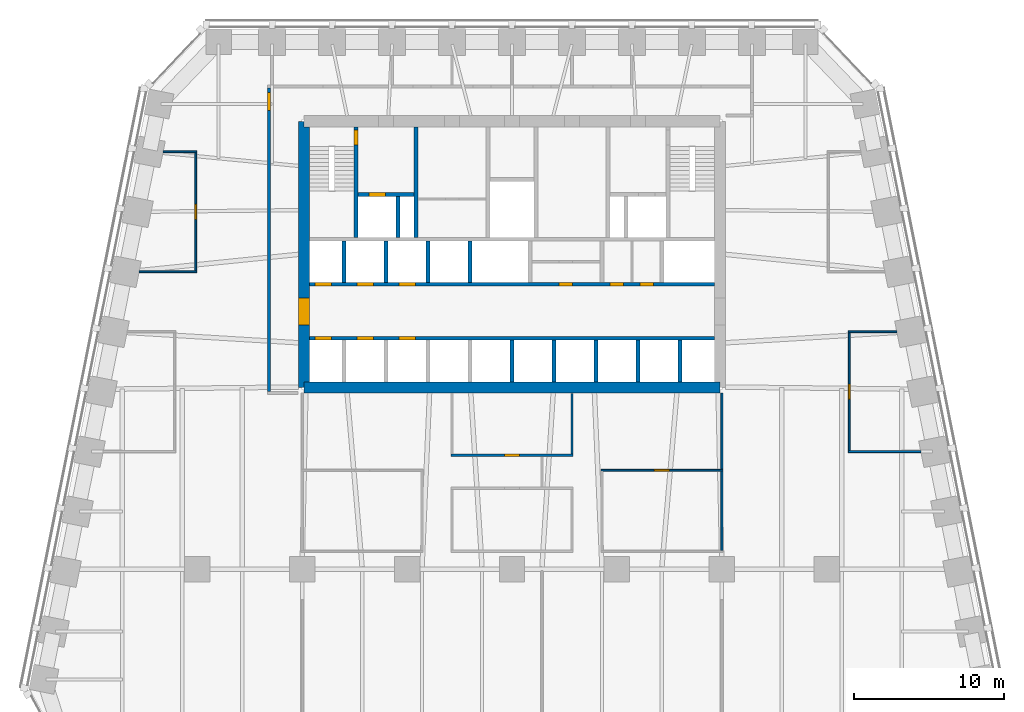
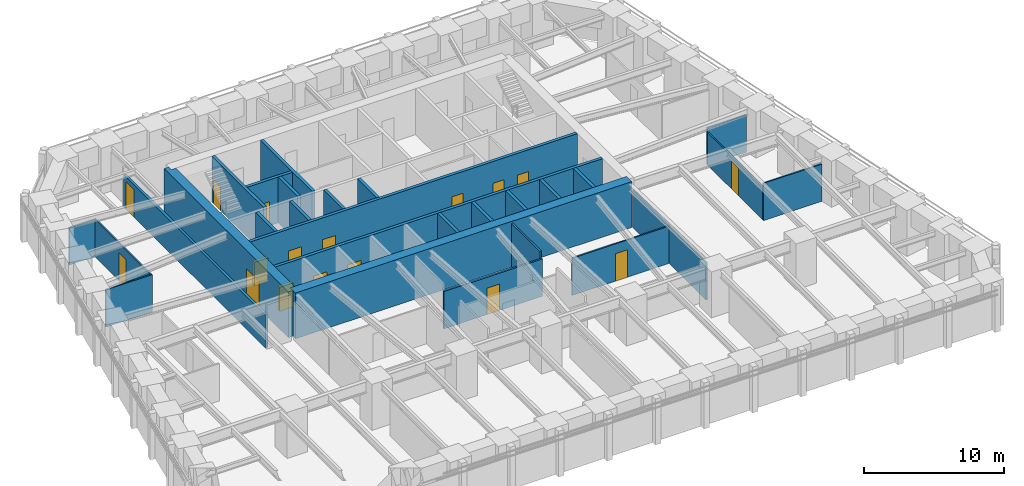
# One storey, part 6 of 10: 29 walls, 17 doors, 17 openings.
"""IFC4 building model written with IfcOpenShell, lengths in metres."""

from ifc_helpers import new_model, si_unit, direction, frame, frame_2d, origin, place, context, subcontext, project, spatial, polyline, rectangle, outline, extrude, material, layer, layer_set, type_object, element, fill, save


model = new_model("IFC4")

# Units and contexts
model_context = context("Model", 3, precision=1e-05, world=origin(), true_north=direction((0.0, 1.0)))
body_context = subcontext(model_context, "Body", "Model", "MODEL_VIEW")
ifc_project = project(units=[si_unit("LENGTHUNIT", "METRE"), si_unit("AREAUNIT", "SQUARE_METRE"), si_unit("VOLUMEUNIT", "CUBIC_METRE"), si_unit("PLANEANGLEUNIT", "RADIAN"), si_unit("MASSUNIT", "GRAM", prefix="KILO")], contexts=[model_context])

# Site, building, storey
site_placement = place(None, origin())
site = spatial("IfcSite", under=ifc_project, at=site_placement, CompositionType="ELEMENT")
building_placement = place(site_placement, origin())
building = spatial("IfcBuilding", under=site, at=building_placement, Name="Isbrekke Arena Tower", CompositionType="ELEMENT")
storey_placement = place(building_placement, frame((0.0, 0.0, 143.0)))
storey = spatial("IfcBuildingStorey", under=building, at=storey_placement, Name="L32", CompositionType="ELEMENT", Elevation=143.0)

# Wall
ifc_material_1 = material(Name="Concrete B55 (C55/67)", Category="concrete")
ifc_layer_1 = layer(ifc_material_1, 0.75)
ifc_layer_set_1 = layer_set([ifc_layer_1], Name="CW3 CORE WALL 750")
wall_type_1 = type_object("IfcWallType", Name="CW3 CORE WALL 750", PredefinedType="SHEAR", material=ifc_layer_set_1)
wall_1_placement = place(storey_placement, frame((-13.875, 6.125, 0.0), z_axis=(0.0, 0.0, 1.0), x_axis=(1.0, 0.0, 0.0)))
element("IfcWall", 1, at=wall_1_placement, inside=storey, type_object=wall_type_1, Name="Core wall S L32", PredefinedType="SHEAR", context=body_context, shape_type="SweptSolid", body=[
    extrude(rectangle(XDim=27.75, YDim=0.75, at=frame_2d((13.875, 0.0))), origin(), (0.0, 0.0, 1.0), 4.0),
])

# Wall, opening, door
wall_2_placement = place(storey_placement, frame((-13.875, 23.875, 0.0), z_axis=(0.0, 0.0, 1.0), x_axis=(0.0, -1.0, 0.0)))
wall_2 = element("IfcWall", 2, at=wall_2_placement, inside=storey, type_object=wall_type_1, Name="Core wall W L32", PredefinedType="SHEAR", context=body_context, shape_type="SweptSolid", body=[
    extrude(outline(polyline([(0.0, -0.375), (17.75, -0.375), (17.75, 0.0), (17.375, 0.0), (17.375, 0.375), (0.375, 0.375), (0.375, 0.0), (0.0, 0.0), (0.0, -0.375)])), origin(), (0.0, 0.0, 1.0), 4.0),
])
opening_1_placement = place(wall_2_placement, frame((11.77490234375, 0.0, 0.0)))
opening_1 = element("IfcOpeningElement", 3, at=opening_1_placement, cuts=wall_2, Name="Opening D1", PredefinedType="OPENING", context=body_context, shape_type="SweptSolid", body=[
    extrude(rectangle(XDim=1.800048828125, YDim=2.39990234375, at=frame_2d((0.89990234375, 1.199951171875))), frame((0.0, 0.389892578125, 0.0), z_axis=(0.0, -1.0, 0.0), x_axis=(1.0, 0.0, 0.0)), (0.0, 0.0, 1.0), 0.77978515625),
])
ifc_material_2 = material(Name="Steel-framed glazed fire door", Category="steel")
door_type_1 = type_object("IfcDoorType", Name="D1 CORE LOBBY DOOR 1800 x 2400", OperationType="DOUBLE_DOOR_SINGLE_SWING", PredefinedType="DOOR", material=ifc_material_2)
door_1_placement = place(opening_1_placement, origin())
door_1 = element("IfcDoor", 4, at=door_1_placement, inside=storey, type_object=door_type_1, Name="D1 lift lobby door west L32", OperationType="DOUBLE_DOOR_SINGLE_SWING", OverallHeight=2.39990234375, OverallWidth=1.800048828125, PredefinedType="DOOR", context=body_context, shape_type="SweptSolid", body=[
    extrude(rectangle(XDim=1.800048828125, YDim=2.39990234375, at=frame_2d((0.89990234375, 1.199951171875))), frame((0.0, 0.374755859375, 0.0), z_axis=(0.0, -1.0, 0.0), x_axis=(1.0, 0.0, 0.0)), (0.0, 0.0, 1.0), 0.74951171875),
])
fill(opening_1, door_1)

# Wall, openings, doors
ifc_material_3 = material(Name="Concrete B45 (C45/55)", Category="concrete")
ifc_layer_2 = layer(ifc_material_3, 0.25)
ifc_layer_set_2 = layer_set([ifc_layer_2], Name="CW6 SHAFT WALL 250")
wall_type_2 = type_object("IfcWallType", Name="CW6 SHAFT WALL 250", PredefinedType="SHEAR", material=ifc_layer_set_2)
wall_3_placement = place(storey_placement, frame((-13.5, 9.39990234375, 0.0), z_axis=(0.0, 0.0, 1.0), x_axis=(1.0, 0.0, 0.0)))
wall_3 = element("IfcWall", 5, at=wall_3_placement, inside=storey, type_object=wall_type_2, Name="Core wall LS L32", PredefinedType="SHEAR", context=body_context, shape_type="SweptSolid", body=[
    extrude(rectangle(XDim=27.0, YDim=0.25, at=frame_2d((13.5, 0.0))), origin(), (0.0, 0.0, 1.0), 4.0),
])
opening_2_placement = place(wall_3_placement, frame((0.35009765625, 0.0, 0.0)))
opening_2 = element("IfcOpeningElement", 6, at=opening_2_placement, cuts=wall_3, Name="Opening LD1", PredefinedType="OPENING", context=body_context, shape_type="SweptSolid", body=[
    extrude(rectangle(XDim=1.10009765625, YDim=2.10009765625, at=frame_2d((0.550048828125, 1.050048828125))), frame((0.0, 0.139892578125, 0.0), z_axis=(0.0, -1.0, 0.0), x_axis=(1.0, 0.0, 0.0)), (0.0, 0.0, 1.0), 0.27978515625),
])
opening_3_placement = place(wall_3_placement, frame((3.14990234375, 0.0, 0.0)))
opening_3 = element("IfcOpeningElement", 7, at=opening_3_placement, cuts=wall_3, Name="Opening LD1", PredefinedType="OPENING", context=body_context, shape_type="SweptSolid", body=[
    extrude(rectangle(XDim=1.10009765625, YDim=2.10009765625, at=frame_2d((0.550048828125, 1.050048828125))), frame((0.0, 0.139892578125, 0.0), z_axis=(0.0, -1.0, 0.0), x_axis=(1.0, 0.0, 0.0)), (0.0, 0.0, 1.0), 0.27978515625),
])
opening_4_placement = place(wall_3_placement, frame((5.949951171875, 0.0, 0.0)))
opening_4 = element("IfcOpeningElement", 8, at=opening_4_placement, cuts=wall_3, Name="Opening LD1", PredefinedType="OPENING", context=body_context, shape_type="SweptSolid", body=[
    extrude(rectangle(XDim=1.10009765625, YDim=2.10009765625, at=frame_2d((0.550048828125, 1.050048828125))), frame((0.0, 0.139892578125, 0.0), z_axis=(0.0, -1.0, 0.0), x_axis=(1.0, 0.0, 0.0)), (0.0, 0.0, 1.0), 0.27978515625),
])
ifc_material_4 = material(Name="Stainless steel lift landing door", Category="steel")
door_type_2 = type_object("IfcDoorType", Name="LD1 LIFT LANDING DOOR 1100 x 2100", OperationType="SLIDING_TO_LEFT", PredefinedType="DOOR", material=ifc_material_4)
door_2_placement = place(opening_2_placement, origin())
door_2 = element("IfcDoor", 9, at=door_2_placement, inside=storey, type_object=door_type_2, Name="LD1 lift landing door LB L32", OperationType="SLIDING_TO_LEFT", OverallHeight=2.10009765625, OverallWidth=1.10009765625, PredefinedType="DOOR", context=body_context, shape_type="SweptSolid", body=[
    extrude(rectangle(XDim=1.10009765625, YDim=2.10009765625, at=frame_2d((0.550048828125, 1.050048828125))), frame((0.0, 0.124755859375, 0.0), z_axis=(0.0, -1.0, 0.0), x_axis=(1.0, 0.0, 0.0)), (0.0, 0.0, 1.0), 0.24951171875),
])
fill(opening_2, door_2)
door_3_placement = place(opening_3_placement, origin())
door_3 = element("IfcDoor", 10, at=door_3_placement, inside=storey, type_object=door_type_2, Name="LD1 lift landing door LB L32", OperationType="SLIDING_TO_LEFT", OverallHeight=2.10009765625, OverallWidth=1.10009765625, PredefinedType="DOOR", context=body_context, shape_type="SweptSolid", body=[
    extrude(rectangle(XDim=1.10009765625, YDim=2.10009765625, at=frame_2d((0.550048828125, 1.050048828125))), frame((0.0, 0.124755859375, 0.0), z_axis=(0.0, -1.0, 0.0), x_axis=(1.0, 0.0, 0.0)), (0.0, 0.0, 1.0), 0.24951171875),
])
fill(opening_3, door_3)
door_4_placement = place(opening_4_placement, origin())
door_4 = element("IfcDoor", 11, at=door_4_placement, inside=storey, type_object=door_type_2, Name="LD1 lift landing door LB L32", OperationType="SLIDING_TO_LEFT", OverallHeight=2.10009765625, OverallWidth=1.10009765625, PredefinedType="DOOR", context=body_context, shape_type="SweptSolid", body=[
    extrude(rectangle(XDim=1.10009765625, YDim=2.10009765625, at=frame_2d((0.550048828125, 1.050048828125))), frame((0.0, 0.124755859375, 0.0), z_axis=(0.0, -1.0, 0.0), x_axis=(1.0, 0.0, 0.0)), (0.0, 0.0, 1.0), 0.24951171875),
])
fill(opening_4, door_4)

wall_4_placement = place(storey_placement, frame((-13.5, 13.0, 0.0), z_axis=(0.0, 0.0, 1.0), x_axis=(1.0, 0.0, 0.0)))
wall_4 = element("IfcWall", 12, at=wall_4_placement, inside=storey, type_object=wall_type_2, Name="Core wall LN L32", PredefinedType="SHEAR", context=body_context, shape_type="SweptSolid", body=[
    extrude(rectangle(XDim=27.0, YDim=0.25, at=frame_2d((13.5, 0.0))), origin(), (0.0, 0.0, 1.0), 4.0),
])
opening_5_placement = place(wall_4_placement, frame((0.35009765625, 0.0, 0.0)))
opening_5 = element("IfcOpeningElement", 13, at=opening_5_placement, cuts=wall_4, Name="Opening LD1", PredefinedType="OPENING", context=body_context, shape_type="SweptSolid", body=[
    extrude(rectangle(XDim=1.10009765625, YDim=2.10009765625, at=frame_2d((0.550048828125, 1.050048828125))), frame((0.0, 0.139892578125, 0.0), z_axis=(0.0, -1.0, 0.0), x_axis=(1.0, 0.0, 0.0)), (0.0, 0.0, 1.0), 0.27978515625),
])
opening_6_placement = place(wall_4_placement, frame((3.14990234375, 0.0, 0.0)))
opening_6 = element("IfcOpeningElement", 14, at=opening_6_placement, cuts=wall_4, Name="Opening LD1", PredefinedType="OPENING", context=body_context, shape_type="SweptSolid", body=[
    extrude(rectangle(XDim=1.10009765625, YDim=2.10009765625, at=frame_2d((0.550048828125, 1.050048828125))), frame((0.0, 0.139892578125, 0.0), z_axis=(0.0, -1.0, 0.0), x_axis=(1.0, 0.0, 0.0)), (0.0, 0.0, 1.0), 0.27978515625),
])
opening_7_placement = place(wall_4_placement, frame((5.949951171875, 0.0, 0.0)))
opening_7 = element("IfcOpeningElement", 15, at=opening_7_placement, cuts=wall_4, Name="Opening LD1", PredefinedType="OPENING", context=body_context, shape_type="SweptSolid", body=[
    extrude(rectangle(XDim=1.10009765625, YDim=2.10009765625, at=frame_2d((0.550048828125, 1.050048828125))), frame((0.0, 0.139892578125, 0.0), z_axis=(0.0, -1.0, 0.0), x_axis=(1.0, 0.0, 0.0)), (0.0, 0.0, 1.0), 0.27978515625),
])
opening_8_placement = place(wall_4_placement, frame((16.64990234375, 0.0, 0.0)))
opening_8 = element("IfcOpeningElement", 16, at=opening_8_placement, cuts=wall_4, Name="Opening D5", PredefinedType="OPENING", context=body_context, shape_type="SweptSolid", body=[
    extrude(rectangle(XDim=0.89990234375, YDim=2.10009765625, at=frame_2d((0.449951171875, 1.050048828125))), frame((0.0, 0.139892578125, 0.0), z_axis=(0.0, -1.0, 0.0), x_axis=(1.0, 0.0, 0.0)), (0.0, 0.0, 1.0), 0.27978515625),
])
opening_9_placement = place(wall_4_placement, frame((20.050048828125, 0.0, 0.0)))
opening_9 = element("IfcOpeningElement", 17, at=opening_9_placement, cuts=wall_4, Name="Opening D5", PredefinedType="OPENING", context=body_context, shape_type="SweptSolid", body=[
    extrude(rectangle(XDim=0.89990234375, YDim=2.10009765625, at=frame_2d((0.449951171875, 1.050048828125))), frame((0.0, 0.139892578125, 0.0), z_axis=(0.0, -1.0, 0.0), x_axis=(1.0, 0.0, 0.0)), (0.0, 0.0, 1.0), 0.27978515625),
])
opening_10_placement = place(wall_4_placement, frame((22.050048828125, 0.0, 0.0)))
opening_10 = element("IfcOpeningElement", 18, at=opening_10_placement, cuts=wall_4, Name="Opening D5", PredefinedType="OPENING", context=body_context, shape_type="SweptSolid", body=[
    extrude(rectangle(XDim=0.89990234375, YDim=2.10009765625, at=frame_2d((0.449951171875, 1.050048828125))), frame((0.0, 0.139892578125, 0.0), z_axis=(0.0, -1.0, 0.0), x_axis=(1.0, 0.0, 0.0)), (0.0, 0.0, 1.0), 0.27978515625),
])
ifc_material_5 = material(Name="Steel fire door", Category="steel")
door_type_3 = type_object("IfcDoorType", Name="D5 SERVICE DOOR 900 x 2100", OperationType="SINGLE_SWING_LEFT", PredefinedType="DOOR", material=ifc_material_5)
door_5_placement = place(opening_8_placement, origin())
door_5 = element("IfcDoor", 19, at=door_5_placement, inside=storey, type_object=door_type_3, Name="D5 first-aid room door L32", OperationType="SINGLE_SWING_LEFT", OverallHeight=2.10009765625, OverallWidth=0.89990234375, PredefinedType="DOOR", context=body_context, shape_type="SweptSolid", body=[
    extrude(rectangle(XDim=0.89990234375, YDim=2.10009765625, at=frame_2d((0.449951171875, 1.050048828125))), frame((0.0, 0.124755859375, 0.0), z_axis=(0.0, -1.0, 0.0), x_axis=(1.0, 0.0, 0.0)), (0.0, 0.0, 1.0), 0.24951171875),
])
fill(opening_8, door_5)
door_6_placement = place(opening_9_placement, origin())
door_6 = element("IfcDoor", 20, at=door_6_placement, inside=storey, type_object=door_type_3, Name="D5 cleaner's store door L32", OperationType="SINGLE_SWING_LEFT", OverallHeight=2.10009765625, OverallWidth=0.89990234375, PredefinedType="DOOR", context=body_context, shape_type="SweptSolid", body=[
    extrude(rectangle(XDim=0.89990234375, YDim=2.10009765625, at=frame_2d((0.449951171875, 1.050048828125))), frame((0.0, 0.124755859375, 0.0), z_axis=(0.0, -1.0, 0.0), x_axis=(1.0, 0.0, 0.0)), (0.0, 0.0, 1.0), 0.24951171875),
])
fill(opening_9, door_6)
door_7_placement = place(opening_10_placement, origin())
door_7 = element("IfcDoor", 21, at=door_7_placement, inside=storey, type_object=door_type_3, Name="D5 communications room door L32", OperationType="SINGLE_SWING_LEFT", OverallHeight=2.10009765625, OverallWidth=0.89990234375, PredefinedType="DOOR", context=body_context, shape_type="SweptSolid", body=[
    extrude(rectangle(XDim=0.89990234375, YDim=2.10009765625, at=frame_2d((0.449951171875, 1.050048828125))), frame((0.0, 0.124755859375, 0.0), z_axis=(0.0, -1.0, 0.0), x_axis=(1.0, 0.0, 0.0)), (0.0, 0.0, 1.0), 0.24951171875),
])
fill(opening_10, door_7)
door_8_placement = place(opening_5_placement, origin())
door_8 = element("IfcDoor", 22, at=door_8_placement, inside=storey, type_object=door_type_2, Name="LD1 lift landing door LB L32", OperationType="SLIDING_TO_LEFT", OverallHeight=2.10009765625, OverallWidth=1.10009765625, PredefinedType="DOOR", context=body_context, shape_type="SweptSolid", body=[
    extrude(rectangle(XDim=1.10009765625, YDim=2.10009765625, at=frame_2d((0.550048828125, 1.050048828125))), frame((0.0, 0.124755859375, 0.0), z_axis=(0.0, -1.0, 0.0), x_axis=(1.0, 0.0, 0.0)), (0.0, 0.0, 1.0), 0.24951171875),
])
fill(opening_5, door_8)
door_9_placement = place(opening_6_placement, origin())
door_9 = element("IfcDoor", 23, at=door_9_placement, inside=storey, type_object=door_type_2, Name="LD1 lift landing door LB L32", OperationType="SLIDING_TO_LEFT", OverallHeight=2.10009765625, OverallWidth=1.10009765625, PredefinedType="DOOR", context=body_context, shape_type="SweptSolid", body=[
    extrude(rectangle(XDim=1.10009765625, YDim=2.10009765625, at=frame_2d((0.550048828125, 1.050048828125))), frame((0.0, 0.124755859375, 0.0), z_axis=(0.0, -1.0, 0.0), x_axis=(1.0, 0.0, 0.0)), (0.0, 0.0, 1.0), 0.24951171875),
])
fill(opening_6, door_9)
door_10_placement = place(opening_7_placement, origin())
door_10 = element("IfcDoor", 24, at=door_10_placement, inside=storey, type_object=door_type_2, Name="LD1 lift landing door LB L32", OperationType="SLIDING_TO_LEFT", OverallHeight=2.10009765625, OverallWidth=1.10009765625, PredefinedType="DOOR", context=body_context, shape_type="SweptSolid", body=[
    extrude(rectangle(XDim=1.10009765625, YDim=2.10009765625, at=frame_2d((0.550048828125, 1.050048828125))), frame((0.0, 0.124755859375, 0.0), z_axis=(0.0, -1.0, 0.0), x_axis=(1.0, 0.0, 0.0)), (0.0, 0.0, 1.0), 0.24951171875),
])
fill(opening_7, door_10)

# Walls
for number, where, z_axis, x_axis, name in (
    (25, (0.0, 6.5, 0.0), (0.0, 0.0, 1.0), (0.0, 1.0, 0.0), "Core wall SS05 L32"),
    (26, (2.800048828125, 6.5, 0.0), (0.0, 0.0, 1.0), (0.0, 1.0, 0.0), "Core wall SS06 L32"),
    (27, (5.60009765625, 6.5, 0.0), (0.0, 0.0, 1.0), (0.0, 1.0, 0.0), "Core wall SS07 L32"),
    (28, (8.39990234375, 6.5, 0.0), (0.0, 0.0, 1.0), (0.0, 1.0, 0.0), "Core wall SS08 L32"),
    (29, (11.199951171875, 6.5, 0.0), (0.0, 0.0, 1.0), (0.0, 1.0, 0.0), "Core wall SS09 L32"),
):
    element("IfcWall", number, at=place(storey_placement, frame(where, z_axis=z_axis, x_axis=x_axis)), inside=storey, type_object=wall_type_2, Name=name, PredefinedType="SHEAR", context=body_context, shape_type="SweptSolid", body=[
        extrude(rectangle(XDim=2.77490234375, YDim=0.25, at=frame_2d((1.387451171875, 0.0))), origin(), (0.0, 0.0, 1.0), 4.0),
    ])
for number, where, z_axis, x_axis, name in (
    (30, (-11.199951171875, 13.125, 0.0), (0.0, 0.0, 1.0), (0.0, 1.0, 0.0), "Core wall SN01 L32"),
    (31, (-8.39990234375, 13.125, 0.0), (0.0, 0.0, 1.0), (0.0, 1.0, 0.0), "Core wall SN02 L32"),
    (32, (-5.60009765625, 13.125, 0.0), (0.0, 0.0, 1.0), (0.0, 1.0, 0.0), "Core wall SN03 L32"),
    (33, (-2.800048828125, 13.125, 0.0), (0.0, 0.0, 1.0), (0.0, 1.0, 0.0), "Core wall SN04 L32"),
):
    element("IfcWall", number, at=place(storey_placement, frame(where, z_axis=z_axis, x_axis=x_axis)), inside=storey, type_object=wall_type_2, Name=name, PredefinedType="SHEAR", context=body_context, shape_type="SweptSolid", body=[
        extrude(rectangle(XDim=2.75, YDim=0.25, at=frame_2d((1.375, 0.0))), origin(), (0.0, 0.0, 1.0), 4.0),
    ])

# Wall, opening, door
wall_5_placement = place(storey_placement, frame((-10.39990234375, 16.125, 0.0), z_axis=(0.0, 0.0, 1.0), x_axis=(0.0, 1.0, 0.0)))
wall_5 = element("IfcWall", 34, at=wall_5_placement, inside=storey, type_object=wall_type_2, Name="Core wall NV01 L32", PredefinedType="SHEAR", context=body_context, shape_type="SweptSolid", body=[
    extrude(rectangle(XDim=7.375, YDim=0.25, at=frame_2d((3.6875, 0.0))), origin(), (0.0, 0.0, 1.0), 4.0),
])
opening_11_placement = place(wall_5_placement, frame((6.175048828125, 0.0, 0.0)))
opening_11 = element("IfcOpeningElement", 35, at=opening_11_placement, cuts=wall_5, Name="Opening D2", PredefinedType="OPENING", context=body_context, shape_type="SweptSolid", body=[
    extrude(rectangle(XDim=1.0, YDim=2.10009765625, at=frame_2d((0.5, 1.050048828125))), frame((0.0, 0.139892578125, 0.0), z_axis=(0.0, -1.0, 0.0), x_axis=(1.0, 0.0, 0.0)), (0.0, 0.0, 1.0), 0.27978515625),
])
ifc_material_6 = material(Name="Steel fire door", Category="steel")
door_type_4 = type_object("IfcDoorType", Name="D2 STAIR DOOR 1000 x 2100", OperationType="SINGLE_SWING_LEFT", PredefinedType="DOOR", material=ifc_material_6)
door_11_placement = place(opening_11_placement, origin())
door_11 = element("IfcDoor", 36, at=door_11_placement, inside=storey, type_object=door_type_4, Name="D2 stair door ST1 L32", OperationType="SINGLE_SWING_LEFT", OverallHeight=2.10009765625, OverallWidth=1.0, PredefinedType="DOOR", context=body_context, shape_type="SweptSolid", body=[
    extrude(rectangle(XDim=1.0, YDim=2.10009765625, at=frame_2d((0.5, 1.050048828125))), frame((0.0, 0.124755859375, 0.0), z_axis=(0.0, -1.0, 0.0), x_axis=(1.0, 0.0, 0.0)), (0.0, 0.0, 1.0), 0.24951171875),
])
fill(opening_11, door_11)

# Wall
wall_6_placement = place(storey_placement, frame((-6.39990234375, 16.125, 0.0), z_axis=(0.0, 0.0, 1.0), x_axis=(0.0, 1.0, 0.0)))
element("IfcWall", 37, at=wall_6_placement, inside=storey, type_object=wall_type_2, Name="Core wall NV02 L32", PredefinedType="SHEAR", context=body_context, shape_type="SweptSolid", body=[
    extrude(rectangle(XDim=7.375, YDim=0.25, at=frame_2d((3.6875, 0.0))), origin(), (0.0, 0.0, 1.0), 4.0),
])

# Wall, opening, door
wall_7_placement = place(storey_placement, frame((-10.27490234375, 19.0, 0.0), z_axis=(0.0, 0.0, 1.0), x_axis=(1.0, 0.0, 0.0)))
wall_7 = element("IfcWall", 38, at=wall_7_placement, inside=storey, type_object=wall_type_2, Name="Core wall NFW L32", PredefinedType="SHEAR", context=body_context, shape_type="SweptSolid", body=[
    extrude(rectangle(XDim=3.75, YDim=0.25, at=frame_2d((1.875, 0.0))), origin(), (0.0, 0.0, 1.0), 4.0),
])
opening_12_placement = place(wall_7_placement, frame((0.72509765625, 0.0, 0.0)))
opening_12 = element("IfcOpeningElement", 39, at=opening_12_placement, cuts=wall_7, Name="Opening LD2", PredefinedType="OPENING", context=body_context, shape_type="SweptSolid", body=[
    extrude(rectangle(XDim=1.10009765625, YDim=2.10009765625, at=frame_2d((0.550048828125, 1.050048828125))), frame((0.0, 0.139892578125, 0.0), z_axis=(0.0, -1.0, 0.0), x_axis=(1.0, 0.0, 0.0)), (0.0, 0.0, 1.0), 0.27978515625),
])
ifc_material_7 = material(Name="Stainless steel lift landing door", Category="steel")
door_type_5 = type_object("IfcDoorType", Name="LD2 FIRE-FIGHTING LIFT LANDING DOOR 1100 x 2100", OperationType="SLIDING_TO_RIGHT", PredefinedType="DOOR", material=ifc_material_7)
door_12_placement = place(opening_12_placement, origin())
door_12 = element("IfcDoor", 40, at=door_12_placement, inside=storey, type_object=door_type_5, Name="LD2 lift landing door LF L32", OperationType="SLIDING_TO_RIGHT", OverallHeight=2.10009765625, OverallWidth=1.10009765625, PredefinedType="DOOR", context=body_context, shape_type="SweptSolid", body=[
    extrude(rectangle(XDim=1.10009765625, YDim=2.10009765625, at=frame_2d((0.550048828125, 1.050048828125))), frame((0.0, 0.124755859375, 0.0), z_axis=(0.0, -1.0, 0.0), x_axis=(1.0, 0.0, 0.0)), (0.0, 0.0, 1.0), 0.24951171875),
])
fill(opening_12, door_12)

# Wall
wall_8_placement = place(storey_placement, frame((-7.60009765625, 16.125, 0.0), z_axis=(0.0, 0.0, 1.0), x_axis=(0.0, 1.0, 0.0)))
element("IfcWall", 41, at=wall_8_placement, inside=storey, type_object=wall_type_2, Name="Core wall NFS1 L32", PredefinedType="SHEAR", context=body_context, shape_type="SweptSolid", body=[
    extrude(rectangle(XDim=2.75, YDim=0.25, at=frame_2d((1.375, 0.0))), origin(), (0.0, 0.0, 1.0), 4.0),
])

# Wall, opening, door
ifc_material_8 = material(Name="Gypsum board partition on steel studs", Category="steel")
ifc_layer_3 = layer(ifc_material_8, 0.14990234375)
ifc_layer_set_3 = layer_set([ifc_layer_3], Name="IW1 PARTITION 150")
wall_type_3 = type_object("IfcWallType", Name="IW1 PARTITION 150", PredefinedType="PARTITIONING", material=ifc_layer_set_3)
wall_9_placement = place(storey_placement, frame((-4.074951171875, 1.60009765625, 0.0), z_axis=(0.0, 0.0, 1.0), x_axis=(1.0, 0.0, 0.0)))
wall_9 = element("IfcWall", 42, at=wall_9_placement, inside=storey, type_object=wall_type_3, Name="IW1 partition 150 L32", PredefinedType="PARTITIONING", context=body_context, shape_type="SweptSolid", body=[
    extrude(rectangle(XDim=8.14990234375, YDim=0.14990234375, at=frame_2d((4.074951171875, 0.0))), origin(), (0.0, 0.0, 1.0), 3.25),
])
opening_13_placement = place(wall_9_placement, frame((3.574951171875, 0.0, 0.0)))
opening_13 = element("IfcOpeningElement", 43, at=opening_13_placement, cuts=wall_9, Name="Opening D10", PredefinedType="OPENING", context=body_context, shape_type="SweptSolid", body=[
    extrude(rectangle(XDim=1.0, YDim=2.300048828125, at=frame_2d((0.5, 1.14990234375))), frame((0.0, 0.08984375, 0.0), z_axis=(0.0, -1.0, 0.0), x_axis=(1.0, 0.0, 0.0)), (0.0, 0.0, 1.0), 0.1796875),
])
ifc_material_9 = material(Name="Timber door", Category="wood")
door_type_6 = type_object("IfcDoorType", Name="D10 OFFICE DOOR 1000 x 2300", OperationType="SINGLE_SWING_LEFT", PredefinedType="DOOR", material=ifc_material_9)
door_13_placement = place(opening_13_placement, origin())
door_13 = element("IfcDoor", 44, at=door_13_placement, inside=storey, type_object=door_type_6, Name="D10 print room door L32", OperationType="SINGLE_SWING_LEFT", OverallHeight=2.300048828125, OverallWidth=1.0, PredefinedType="DOOR", context=body_context, shape_type="SweptSolid", body=[
    extrude(rectangle(XDim=1.0, YDim=2.300048828125, at=frame_2d((0.5, 1.14990234375))), frame((0.0, 0.07470703125, 0.0), z_axis=(0.0, -1.0, 0.0), x_axis=(1.0, 0.0, 0.0)), (0.0, 0.0, 1.0), 0.1494140625),
])
fill(opening_13, door_13)

# Wall
wall_10_placement = place(storey_placement, frame((4.0, 1.675048828125, 0.0), z_axis=(0.0, 0.0, 1.0), x_axis=(0.0, 1.0, 0.0)))
element("IfcWall", 45, at=wall_10_placement, inside=storey, type_object=wall_type_3, Name="IW1 partition 150 L32", PredefinedType="PARTITIONING", context=body_context, shape_type="SweptSolid", body=[
    extrude(rectangle(XDim=4.044921875, YDim=0.14990234375, at=frame_2d((2.0224609375, 0.0))), origin(), (0.0, 0.0, 1.0), 3.85009765625),
])

# Wall, opening, door
ifc_material_10 = material(Name="Frameless glazed partition, laminated acoustic glass", Category="glass")
ifc_layer_4 = layer(ifc_material_10, 0.1201171875)
ifc_layer_set_4 = layer_set([ifc_layer_4], Name="IW2 GLAZED PARTITION 120")
wall_type_4 = type_object("IfcWallType", Name="IW2 GLAZED PARTITION 120", PredefinedType="PARTITIONING", material=ifc_layer_set_4)
wall_11_placement = place(storey_placement, frame((5.93994140625, 0.60009765625, 0.0), z_axis=(0.0, 0.0, 1.0), x_axis=(1.0, 0.0, 0.0)))
wall_11 = element("IfcWall", 46, at=wall_11_placement, inside=storey, type_object=wall_type_4, Name="IW2 glazed partition 120 L32", PredefinedType="PARTITIONING", context=body_context, shape_type="SweptSolid", body=[
    extrude(rectangle(XDim=8.1201171875, YDim=0.1201171875, at=frame_2d((4.06005859375, 0.0))), origin(), (0.0, 0.0, 1.0), 3.25),
])
opening_14_placement = place(wall_11_placement, frame((3.56005859375, 0.0, 0.0)))
opening_14 = element("IfcOpeningElement", 47, at=opening_14_placement, cuts=wall_11, Name="Opening D11", PredefinedType="OPENING", context=body_context, shape_type="SweptSolid", body=[
    extrude(rectangle(XDim=1.0, YDim=2.39990234375, at=frame_2d((0.5, 1.199951171875))), frame((0.0, 0.074951171875, 0.0), z_axis=(0.0, -1.0, 0.0), x_axis=(1.0, 0.0, 0.0)), (0.0, 0.0, 1.0), 0.14990234375),
])
ifc_material_11 = material(Name="Frameless glazed door", Category="glass")
door_type_7 = type_object("IfcDoorType", Name="D11 GLAZED MEETING ROOM DOOR 1000 x 2400", OperationType="SINGLE_SWING_RIGHT", PredefinedType="DOOR", material=ifc_material_11)
door_14_placement = place(opening_14_placement, origin())
door_14 = element("IfcDoor", 48, at=door_14_placement, inside=storey, type_object=door_type_7, Name="D11 meeting room door L32", OperationType="SINGLE_SWING_RIGHT", OverallHeight=2.39990234375, OverallWidth=1.0, PredefinedType="DOOR", context=body_context, shape_type="SweptSolid", body=[
    extrude(rectangle(XDim=1.0, YDim=2.39990234375, at=frame_2d((0.5, 1.199951171875))), frame((0.0, 0.059814453125, 0.0), z_axis=(0.0, -1.0, 0.0), x_axis=(1.0, 0.0, 0.0)), (0.0, 0.0, 1.0), 0.11962890625),
])
fill(opening_14, door_14)

# Walls
wall_12_placement = place(storey_placement, frame((22.43994140625, 1.840087890625, 0.0), z_axis=(0.0, 0.0, 1.0), x_axis=(1.0, 0.0, 0.0)))
element("IfcWall", 49, at=wall_12_placement, inside=storey, type_object=wall_type_4, Name="IW2 glazed partition 120 L32", PredefinedType="PARTITIONING", context=body_context, shape_type="SweptSolid", body=[
    extrude(rectangle(XDim=4.832763671875, YDim=0.1201171875, at=frame_2d((2.41650390625, 0.0))), origin(), (0.0, 0.0, 1.0), 3.25),
])
wall_13_placement = place(storey_placement, frame((22.43994140625, 9.840087890625, 0.0), z_axis=(0.0, 0.0, 1.0), x_axis=(1.0, 0.0, 0.0)))
element("IfcWall", 50, at=wall_13_placement, inside=storey, type_object=wall_type_4, Name="IW2 glazed partition 120 L32", PredefinedType="PARTITIONING", context=body_context, shape_type="SweptSolid", body=[
    extrude(rectangle(XDim=3.23291015625, YDim=0.1201171875, at=frame_2d((1.616455078125, 0.0))), origin(), (0.0, 0.0, 1.0), 3.25),
])
wall_14_placement = place(storey_placement, frame((-24.872802734375, 13.840087890625, 0.0), z_axis=(0.0, 0.0, 1.0), x_axis=(1.0, 0.0, 0.0)))
element("IfcWall", 51, at=wall_14_placement, inside=storey, type_object=wall_type_4, Name="IW2 glazed partition 120 L32", PredefinedType="PARTITIONING", context=body_context, shape_type="SweptSolid", body=[
    extrude(rectangle(XDim=3.832763671875, YDim=0.1201171875, at=frame_2d((1.91650390625, 0.0))), origin(), (0.0, 0.0, 1.0), 3.25),
])
wall_15_placement = place(storey_placement, frame((-23.272705078125, 21.840087890625, 0.0), z_axis=(0.0, 0.0, 1.0), x_axis=(1.0, 0.0, 0.0)))
element("IfcWall", 52, at=wall_15_placement, inside=storey, type_object=wall_type_4, Name="IW2 glazed partition 120 L32", PredefinedType="PARTITIONING", context=body_context, shape_type="SweptSolid", body=[
    extrude(rectangle(XDim=2.232666015625, YDim=0.1201171875, at=frame_2d((1.1162109375, 0.0))), origin(), (0.0, 0.0, 1.0), 3.25),
])

# Wall, opening, door
wall_16_placement = place(storey_placement, frame((-21.10009765625, 13.89990234375, 0.0), z_axis=(0.0, 0.0, 1.0), x_axis=(0.0, 1.0, 0.0)))
wall_16 = element("IfcWall", 53, at=wall_16_placement, inside=storey, type_object=wall_type_4, Name="IW2 glazed partition 120 L32", PredefinedType="PARTITIONING", context=body_context, shape_type="SweptSolid", body=[
    extrude(rectangle(XDim=7.880126953125, YDim=0.1201171875, at=frame_2d((3.93994140625, 0.0))), origin(), (0.0, 0.0, 1.0), 3.25),
])
opening_15_placement = place(wall_16_placement, frame((3.43994140625, 0.0, 0.0)))
opening_15 = element("IfcOpeningElement", 54, at=opening_15_placement, cuts=wall_16, Name="Opening D11", PredefinedType="OPENING", context=body_context, shape_type="SweptSolid", body=[
    extrude(rectangle(XDim=1.0, YDim=2.39990234375, at=frame_2d((0.5, 1.199951171875))), frame((0.0, 0.074951171875, 0.0), z_axis=(0.0, -1.0, 0.0), x_axis=(1.0, 0.0, 0.0)), (0.0, 0.0, 1.0), 0.14990234375),
])
door_15_placement = place(opening_15_placement, origin())
door_15 = element("IfcDoor", 55, at=door_15_placement, inside=storey, type_object=door_type_7, Name="D11 project room door L32", OperationType="SINGLE_SWING_RIGHT", OverallHeight=2.39990234375, OverallWidth=1.0, PredefinedType="DOOR", context=body_context, shape_type="SweptSolid", body=[
    extrude(rectangle(XDim=1.0, YDim=2.39990234375, at=frame_2d((0.5, 1.199951171875))), frame((0.0, 0.059814453125, 0.0), z_axis=(0.0, -1.0, 0.0), x_axis=(1.0, 0.0, 0.0)), (0.0, 0.0, 1.0), 0.11962890625),
])
fill(opening_15, door_15)

# Wall
wall_17_placement = place(storey_placement, frame((14.0, -4.739990234375, 0.0), z_axis=(0.0, 0.0, 1.0), x_axis=(0.0, 1.0, 0.0)))
element("IfcWall", 56, at=wall_17_placement, inside=storey, type_object=wall_type_4, Name="IW2 glazed partition 120 L32", PredefinedType="PARTITIONING", context=body_context, shape_type="SweptSolid", body=[
    extrude(rectangle(XDim=5.280029296875, YDim=0.1201171875, at=frame_2d((2.64013671875, 0.0))), origin(), (0.0, 0.0, 1.0), 3.25),
])

# Wall, opening, door
wall_18_placement = place(storey_placement, frame((22.5, 1.89990234375, 0.0), z_axis=(0.0, 0.0, 1.0), x_axis=(0.0, 1.0, 0.0)))
wall_18 = element("IfcWall", 57, at=wall_18_placement, inside=storey, type_object=wall_type_4, Name="IW2 glazed partition 120 L32", PredefinedType="PARTITIONING", context=body_context, shape_type="SweptSolid", body=[
    extrude(rectangle(XDim=7.880126953125, YDim=0.1201171875, at=frame_2d((3.93994140625, 0.0))), origin(), (0.0, 0.0, 1.0), 2.842041015625),
])
opening_16_placement = place(wall_18_placement, frame((3.43994140625, 0.0, 0.0)))
opening_16 = element("IfcOpeningElement", 58, at=opening_16_placement, cuts=wall_18, Name="Opening D11", PredefinedType="OPENING", context=body_context, shape_type="SweptSolid", body=[
    extrude(rectangle(XDim=1.0, YDim=2.39990234375, at=frame_2d((0.5, 1.199951171875))), frame((0.0, 0.074951171875, 0.0), z_axis=(0.0, -1.0, 0.0), x_axis=(1.0, 0.0, 0.0)), (0.0, 0.0, 1.0), 0.14990234375),
])
door_16_placement = place(opening_16_placement, origin())
door_16 = element("IfcDoor", 59, at=door_16_placement, inside=storey, type_object=door_type_7, Name="D11 project room door L32", OperationType="SINGLE_SWING_RIGHT", OverallHeight=2.39990234375, OverallWidth=1.0, PredefinedType="DOOR", context=body_context, shape_type="SweptSolid", body=[
    extrude(rectangle(XDim=1.0, YDim=2.39990234375, at=frame_2d((0.5, 1.199951171875))), frame((0.0, 0.059814453125, 0.0), z_axis=(0.0, -1.0, 0.0), x_axis=(1.0, 0.0, 0.0)), (0.0, 0.0, 1.0), 0.11962890625),
])
fill(opening_16, door_16)

# Wall
wall_19_placement = place(storey_placement, frame((14.0, 0.679931640625, 0.0), z_axis=(0.0, 0.0, 1.0), x_axis=(0.0, 1.0, 0.0)))
element("IfcWall", 60, at=wall_19_placement, inside=storey, type_object=wall_type_4, Name="IW2 glazed partition 120 L32", PredefinedType="PARTITIONING", context=body_context, shape_type="SweptSolid", body=[
    extrude(rectangle(XDim=5.070068359375, YDim=0.1201171875, at=frame_2d((2.53515625, 0.0))), origin(), (0.0, 0.0, 1.0), 3.25),
])

# Wall, opening, door
ifc_material_12 = material(Name="Gypsum board fire-cell wall on steel studs, two layers each side", Category="steel")
ifc_layer_5 = layer(ifc_material_12, 0.199951171875)
ifc_layer_set_5 = layer_set([ifc_layer_5], Name="IW3 FIRE-CELL WALL 200")
wall_type_5 = type_object("IfcWallType", Name="IW3 FIRE-CELL WALL 200", PredefinedType="PARTITIONING", material=ifc_layer_set_5)
wall_20_placement = place(storey_placement, frame((-16.199951171875, 5.85009765625, 0.0), z_axis=(0.0, 0.0, 1.0), x_axis=(0.0, 1.0, 0.0)))
wall_20 = element("IfcWall", 61, at=wall_20_placement, inside=storey, type_object=wall_type_5, Name="IW3 fire-cell wall 200 L32", PredefinedType="PARTITIONING", context=body_context, shape_type="SweptSolid", body=[
    extrude(rectangle(XDim=20.25, YDim=0.199951171875, at=frame_2d((10.125, 0.0))), origin(), (0.0, 0.0, 1.0), 2.842041015625),
])
opening_17_placement = place(wall_20_placement, frame((18.75, 0.0, 0.0)))
opening_17 = element("IfcOpeningElement", 62, at=opening_17_placement, cuts=wall_20, Name="Opening D12", PredefinedType="OPENING", context=body_context, shape_type="SweptSolid", body=[
    extrude(rectangle(XDim=1.199951171875, YDim=2.39990234375, at=frame_2d((0.60009765625, 1.199951171875))), frame((0.0, 0.11474609375, 0.0), z_axis=(0.0, -1.0, 0.0), x_axis=(1.0, 0.0, 0.0)), (0.0, 0.0, 1.0), 0.229736328125),
])
ifc_material_13 = material(Name="Timber fire door with vision panel", Category="wood")
door_type_8 = type_object("IfcDoorType", Name="D12 SUITE ENTRANCE DOOR 1200 x 2400", OperationType="SINGLE_SWING_LEFT", PredefinedType="DOOR", material=ifc_material_13)
door_17_placement = place(opening_17_placement, origin())
door_17 = element("IfcDoor", 63, at=door_17_placement, inside=storey, type_object=door_type_8, Name="D12 suite entrance A door L32", OperationType="SINGLE_SWING_LEFT", OverallHeight=2.39990234375, OverallWidth=1.199951171875, PredefinedType="DOOR", context=body_context, shape_type="SweptSolid", body=[
    extrude(rectangle(XDim=1.199951171875, YDim=2.39990234375, at=frame_2d((0.60009765625, 1.199951171875))), frame((0.0, 0.099609375, 0.0), z_axis=(0.0, -1.0, 0.0), x_axis=(1.0, 0.0, 0.0)), (0.0, 0.0, 1.0), 0.199462890625),
])
fill(opening_17, door_17)

save(model, "model.ifc")
